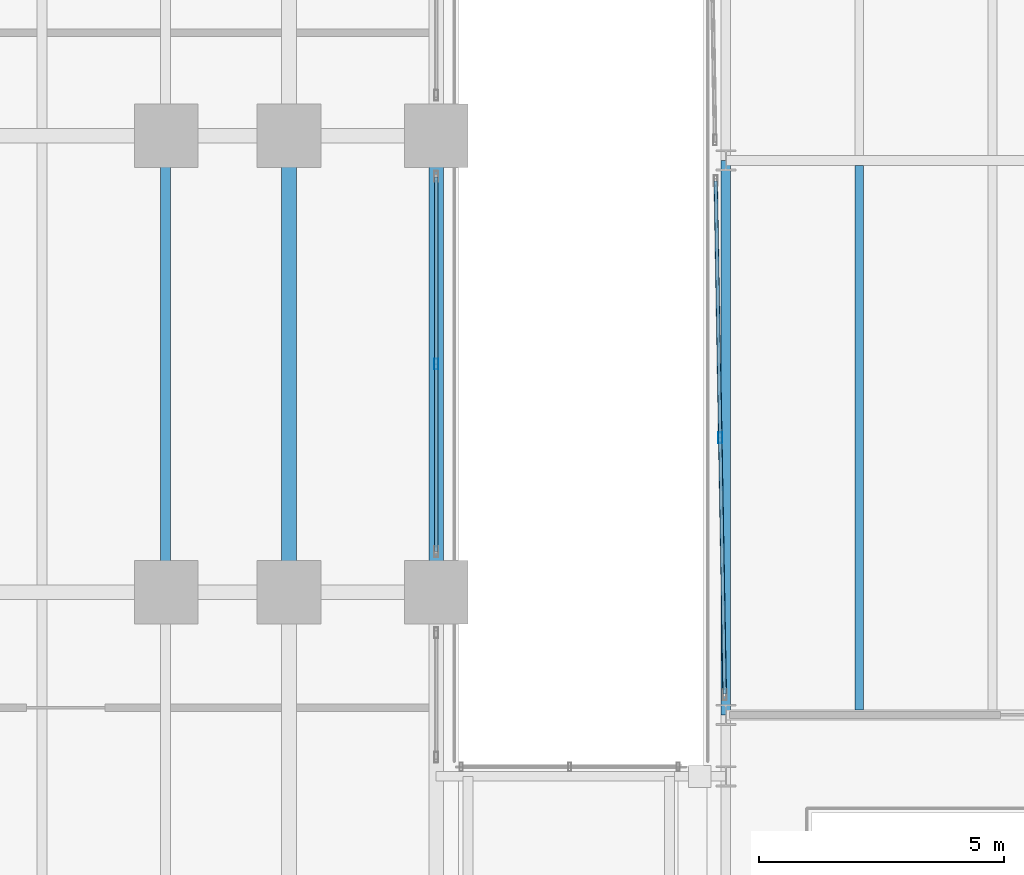
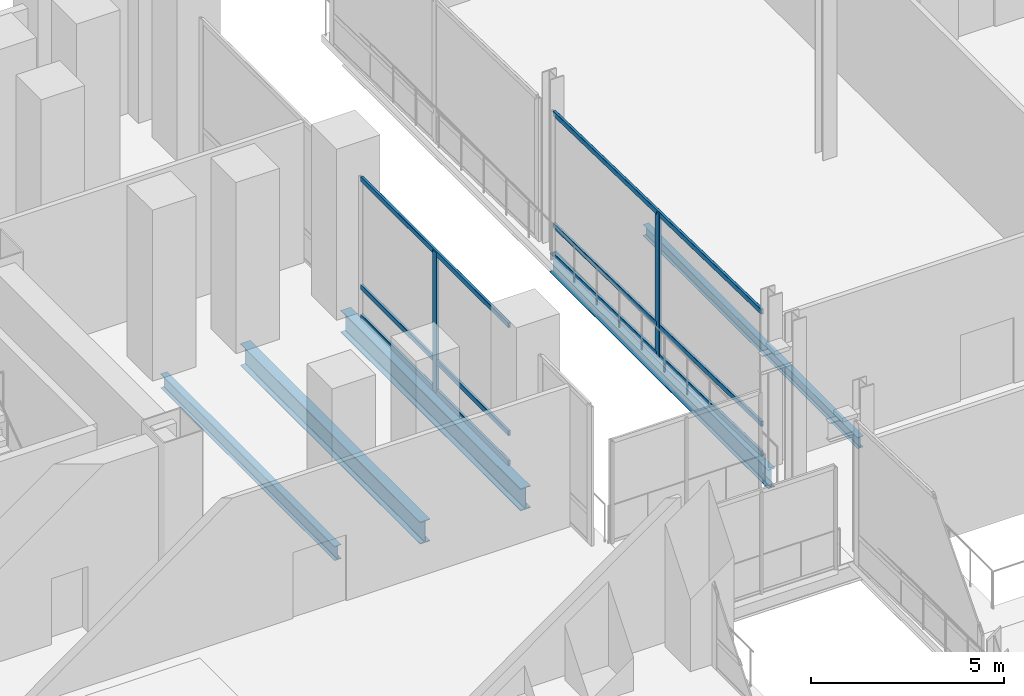
# One storey, part 16 of 31: 8 members, 5 beams, 2 elements without a shape of their own.
"""IFC4 building model written with IfcOpenShell, lengths in metres."""

import ifcopenshell
import ifcopenshell.guid

model = None  # the IFC model being written
_history = None  # IfcOwnerHistory: only IFC2X3 demands one
_inside = {}  # id of a spatial element -> (the spatial element, [elements in it])
_under = {}  # id of a project, library or spatial element -> (it, [spatial elements below it])
_declared = {}  # id of a project -> (the project, [libraries it declares])
_typed = {}  # id of a type object -> (the type object, [elements of that type])
_made_of = {}  # id of a material, layer set ... -> (it, [elements and type objects made of it])


def new_model(schema):
    """Start an empty IFC model of exactly this schema.

    Asked for "IFC4X3", IfcOpenShell would pick the latest addendum, in which some entities
    have other attributes; the version numbers below select the first issue.
    IFC2X3 requires an IfcOwnerHistory on every rooted entity: one is made here for all.
    """
    global model, _history
    if schema == "IFC4X3":
        model = ifcopenshell.file(schema_version=(4, 3, 0, 0))
    else:
        model = ifcopenshell.file(schema=schema)
    _inside.clear()
    _under.clear()
    _declared.clear()
    _typed.clear()
    _made_of.clear()
    _history = None
    if model.schema == "IFC2X3":
        org = make("IfcOrganization", Name="unknown")
        user = make(
            "IfcPersonAndOrganization",
            ThePerson=make("IfcPerson", FamilyName="unknown"),
            TheOrganization=org,
        )
        app = make(
            "IfcApplication",
            ApplicationDeveloper=org,
            Version="unknown",
            ApplicationFullName="unknown",
            ApplicationIdentifier="unknown",
        )
        _history = make(
            "IfcOwnerHistory",
            OwningUser=user,
            OwningApplication=app,
            ChangeAction="ADDED",
            CreationDate=0,
        )
    return model


def make(cls, **values):
    """One entity of the class cls with the attributes given. An attribute that is None is left unset."""
    return model.create_entity(
        cls, **{name: value for name, value in values.items() if value is not None}
    )


def rooted(cls, **values):
    """An entity with a GlobalId (a new one), such as an element, a storey or a relation."""
    return make(cls, GlobalId=ifcopenshell.guid.new(), OwnerHistory=_history, **values)


def si_unit(unit_type, name, prefix=None):
    """IfcSIUnit, for example si_unit("LENGTHUNIT", "METRE", prefix="MILLI")."""
    return make("IfcSIUnit", UnitType=unit_type, Prefix=prefix, Name=name)


def assignment(units):
    """IfcUnitAssignment: the units of a project."""
    return None if units is None else make("IfcUnitAssignment", Units=units)


def point(xyz):
    """IfcCartesianPoint."""
    return None if xyz is None else make("IfcCartesianPoint", Coordinates=xyz)


def direction(xyz):
    """IfcDirection."""
    return None if xyz is None else make("IfcDirection", DirectionRatios=xyz)


def frame(location, z_axis=None, x_axis=None):
    """IfcAxis2Placement3D, a coordinate frame: its origin and axes. An axis left out is left unset."""
    return make(
        "IfcAxis2Placement3D",
        Location=point(location),
        Axis=direction(z_axis),
        RefDirection=direction(x_axis),
    )


def frame_2d(location, x_axis=None):
    """IfcAxis2Placement2D, a coordinate frame in the plane: its origin and x axis."""
    return make(
        "IfcAxis2Placement2D", Location=point(location), RefDirection=direction(x_axis)
    )


def origin():
    """The frame at (0, 0, 0) with its axes left unset."""
    return frame((0.0, 0.0, 0.0))


def origin_2d():
    """The frame at (0, 0) in the plane with its x axis left unset."""
    return frame_2d((0.0, 0.0))


def place(relative_to, where):
    """IfcLocalPlacement: puts the frame where relative to a parent placement (None: the world)."""
    return make(
        "IfcLocalPlacement", PlacementRelTo=relative_to, RelativePlacement=where
    )


def context(
    kind, dimensions, precision=None, world=None, true_north=None, identifier=None
):
    """IfcGeometricRepresentationContext, for example the 3D "Model" context."""
    return make(
        "IfcGeometricRepresentationContext",
        ContextIdentifier=identifier,
        ContextType=kind,
        CoordinateSpaceDimension=dimensions,
        Precision=precision,
        WorldCoordinateSystem=world,
        TrueNorth=true_north,
    )


def subcontext(parent, identifier, kind, view, scale=None):
    """IfcGeometricRepresentationSubContext, for example "Body" below "Model"."""
    return make(
        "IfcGeometricRepresentationSubContext",
        ContextIdentifier=identifier,
        ContextType=kind,
        ParentContext=parent,
        TargetScale=scale,
        TargetView=view,
    )


def project(units=None, contexts=None):
    """IfcProject with its units and contexts."""
    return rooted(
        "IfcProject",
        Name="project",
        RepresentationContexts=contexts,
        UnitsInContext=assignment(units),
    )


def spatial(cls, under=None, at=None, **own):
    """A site, building, storey or space (cls), placed at a placement, below another one or the project."""
    s = rooted(cls, ObjectPlacement=at, **own)
    if under is not None:
        _under.setdefault(under.id(), (under, []))[1].append(s)
    return s


def profile(cls, at=None, kind="AREA", **sizes):
    """A parametric profile (cls). Its sizes go by their IFC names, for example OverallWidth=200.0."""
    return make(cls, ProfileType=kind, Position=at, **sizes)


def hollow_rectangle(**sizes):
    """IfcRectangleHollowProfileDef."""
    return profile("IfcRectangleHollowProfileDef", **sizes)


def i_section(**sizes):
    """IfcIShapeProfileDef."""
    return profile("IfcIShapeProfileDef", **sizes)


def extrude(swept, where, along, depth):
    """IfcExtrudedAreaSolid: the profile swept, set in the frame where, extruded along a direction by depth."""
    return make(
        "IfcExtrudedAreaSolid",
        SweptArea=swept,
        Position=where,
        ExtrudedDirection=direction(along),
        Depth=depth,
    )


def shape(context_of_items, identifier, shape_type, items):
    """IfcShapeRepresentation: the items that make up one representation, for example the "Body"."""
    return make(
        "IfcShapeRepresentation",
        ContextOfItems=context_of_items,
        RepresentationIdentifier=identifier,
        RepresentationType=shape_type,
        Items=items,
    )


def material(Name=None, Category=None):
    """IfcMaterial."""
    return make("IfcMaterial", Name=Name, Category=Category)


def material_profile(
    of_material, cross_section, Name=None, Category=None, Priority=None
):
    """IfcMaterialProfile: a cross section and its material."""
    return make(
        "IfcMaterialProfile",
        Name=Name,
        Material=of_material,
        Profile=cross_section,
        Priority=Priority,
        Category=Category,
    )


def profile_set(profiles, Name=None, composite=None):
    """IfcMaterialProfileSet."""
    return make(
        "IfcMaterialProfileSet",
        Name=Name,
        MaterialProfiles=profiles,
        CompositeProfile=composite,
    )


def made_of(thing, what):
    """Note that an element or type object is made of a material, layer set ...; save() writes the relation."""
    if what is not None:
        _made_of.setdefault(what.id(), (what, []))[1].append(thing)
    return thing


def type_object(cls, material=None, **own):
    """A type object (cls), such as IfcWallType, which elements share."""
    return made_of(rooted(cls, **own), material)


def element(
    cls,
    number,
    at=None,
    inside=None,
    cuts=None,
    type_object=None,
    material=None,
    context=None,
    identifier="Body",
    shape_type=None,
    held_by="IfcProductDefinitionShape",
    body=None,
    shapes=None,
    **own,
):
    """One element of the class cls, such as IfcWall. Its Tag is "e" and its number.

    at: its placement. inside: the storey or other place that contains it. cuts: it is an
    opening in that element (IfcRelVoidsElement). A single representation is given by context,
    identifier, shape_type and body (its items); several are given by shapes. held_by: the class
    of the entity that holds the representations. save() writes the other relations.
    """
    e = rooted(cls, Tag="e%d" % number, ObjectPlacement=at, **own)
    if body is not None:
        shapes = [shape(context, identifier, shape_type, body)]
    if shapes is not None:
        e.Representation = make(held_by, Representations=shapes)
    if inside is not None:
        _inside.setdefault(inside.id(), (inside, []))[1].append(e)
    if cuts is not None:
        rooted(
            "IfcRelVoidsElement", RelatingBuildingElement=cuts, RelatedOpeningElement=e
        )
    if type_object is not None:
        _typed.setdefault(type_object.id(), (type_object, []))[1].append(e)
    return made_of(e, material)


def aggregate(whole, parts):
    """IfcRelAggregates: a whole, such as a stair, and the parts it consists of."""
    return rooted("IfcRelAggregates", RelatingObject=whole, RelatedObjects=parts)


def save(model, path):
    """Write the relations noted so far, then the file.

    IfcRelAggregates (storeys below a building ...), IfcRelContainedInSpatialStructure (elements
    in a storey), IfcRelDefinesByType, IfcRelAssociatesMaterial and IfcRelDeclares: one each for
    every whole, place, type object, material and project.
    """
    for whole, parts in _under.values():
        aggregate(whole, parts)
    for where, things in _inside.values():
        rooted(
            "IfcRelContainedInSpatialStructure",
            RelatedElements=things,
            RelatingStructure=where,
        )
    for kind, things in _typed.values():
        rooted("IfcRelDefinesByType", RelatedObjects=things, RelatingType=kind)
    for what, things in _made_of.values():
        rooted("IfcRelAssociatesMaterial", RelatedObjects=things, RelatingMaterial=what)
    for by, libraries in _declared.values():
        rooted("IfcRelDeclares", RelatingContext=by, RelatedDefinitions=libraries)
    model.write(path)


model = new_model("IFC4")

# Units and contexts
model_context = context("Model", 3, precision=1e-05, world=origin(), true_north=direction((0.0, 1.0)))
body_context = subcontext(model_context, "Body", "Model", "MODEL_VIEW")
ifc_project = project(units=[si_unit("LENGTHUNIT", "METRE"), si_unit("AREAUNIT", "SQUARE_METRE"), si_unit("VOLUMEUNIT", "CUBIC_METRE"), si_unit("PLANEANGLEUNIT", "RADIAN"), si_unit("MASSUNIT", "GRAM", prefix="KILO")], contexts=[model_context])

# Site, building, storey
site_placement = place(None, origin())
site = spatial("IfcSite", under=ifc_project, at=site_placement, CompositionType="ELEMENT")
building_placement = place(site_placement, origin())
building = spatial("IfcBuilding", under=site, at=building_placement, Name="Noeulbin Bourse Tower", CompositionType="ELEMENT")
storey_placement = place(building_placement, frame((0.0, 0.0, 11.199951171875)))
storey = spatial("IfcBuildingStorey", under=building, at=storey_placement, Name="L03", CompositionType="ELEMENT", Elevation=11.199951171875)

# Beams
ifc_material_1 = material(Name="Steel S355", Category="steel")
ifc_material_profile_1 = material_profile(ifc_material_1, i_section(OverallWidth=0.199951171875, OverallDepth=0.60009765625, WebThickness=0.010986328125, FlangeThickness=0.01708984375, FilletRadius=0.02197265625, at=origin_2d()), Name="H-600x200x11x17", Category="LoadBearing")
ifc_profile_set_1 = profile_set([ifc_material_profile_1], Name="Steel S355")
beam_type_1 = type_object("IfcBeamType", Name="BM-GRD-600", PredefinedType="USERDEFINED", material=ifc_profile_set_1)
beam_1_placement = place(storey_placement, frame((60.449951171875, 26.5, -0.52001953125), z_axis=(0.0, 1.0, 0.0), x_axis=(-1.0, 0.0, 0.0)))
element("IfcBeam", 1, at=beam_1_placement, inside=storey, type_object=beam_type_1, Name="Market Hall Girder NS L03-13", ObjectType="GIRDER", PredefinedType="USERDEFINED", context=body_context, shape_type="SweptSolid", body=[
    extrude(i_section(OverallWidth=0.199951171875, OverallDepth=0.60009765625, WebThickness=0.010986328125, FlangeThickness=0.01708984375, FilletRadius=0.02197265625, at=origin_2d()), origin(), (0.0, 0.0, 1.0), 11.300048828125),
])
ifc_material_profile_2 = material_profile(ifc_material_1, i_section(OverallWidth=0.300048828125, OverallDepth=0.699951171875, WebThickness=0.012939453125, FlangeThickness=0.02392578125, FilletRadius=0.02392578125, at=origin_2d()), Name="H-700x300x13x24", Category="LoadBearing")
ifc_profile_set_2 = profile_set([ifc_material_profile_2], Name="Steel S355")
beam_type_2 = type_object("IfcBeamType", Name="BM-GRD-700", PredefinedType="USERDEFINED", material=ifc_profile_set_2)
for number, where, z_axis, x_axis, name in (
    (2, (51.550048828125, 29.0, -0.599853515625), (0.0, 1.0, 0.0), (-1.0, 0.0, 0.0), "Podium Primary Girder NS L03-099"),
    (3, (54.550048828125, 29.0, -0.599853515625), (0.0, 1.0, 0.0), (-1.0, 0.0, 0.0), "Podium Primary Girder NS L03-105"),
):
    element("IfcBeam", number, at=place(storey_placement, frame(where, z_axis=z_axis, x_axis=x_axis)), inside=storey, type_object=beam_type_2, Name=name, ObjectType="GIRDER", PredefinedType="USERDEFINED", context=body_context, shape_type="SweptSolid", body=[
        extrude(i_section(OverallWidth=0.300048828125, OverallDepth=0.699951171875, WebThickness=0.012939453125, FlangeThickness=0.02392578125, FilletRadius=0.02392578125, at=origin_2d()), origin(), (0.0, 0.0, 1.0), 9.300048828125),
    ])
ifc_material_profile_3 = material_profile(ifc_material_1, i_section(OverallWidth=0.175048828125, OverallDepth=0.35009765625, WebThickness=0.007080078125, FlangeThickness=0.010986328125, FilletRadius=0.013916015625, at=origin_2d()), Name="H-350x175x7x11", Category="LoadBearing")
ifc_profile_set_3 = profile_set([ifc_material_profile_3], Name="Steel S355")
beam_type_3 = type_object("IfcBeamType", Name="BM-JST-350", PredefinedType="JOIST", material=ifc_profile_set_3)
beam_2_placement = place(storey_placement, frame((63.166748046875, 26.60009765625, -0.39501953125), z_axis=(0.0, 1.0, 0.0), x_axis=(-1.0, 0.0, 0.0)))
element("IfcBeam", 4, at=beam_2_placement, inside=storey, type_object=beam_type_3, Name="Market Hall Secondary Joist L03-02", PredefinedType="JOIST", context=body_context, shape_type="SweptSolid", body=[
    extrude(i_section(OverallWidth=0.175048828125, OverallDepth=0.35009765625, WebThickness=0.007080078125, FlangeThickness=0.010986328125, FilletRadius=0.013916015625, at=origin_2d()), origin(), (0.0, 0.0, 1.0), 11.099853515625),
])
ifc_material_profile_4 = material_profile(ifc_material_1, i_section(OverallWidth=0.199951171875, OverallDepth=0.449951171875, WebThickness=0.009033203125, FlangeThickness=0.013916015625, FilletRadius=0.01806640625, at=origin_2d()), Name="H-450x200x9x14", Category="LoadBearing")
ifc_profile_set_4 = profile_set([ifc_material_profile_4], Name="Steel S355")
beam_type_4 = type_object("IfcBeamType", Name="BM-SEC-450", PredefinedType="BEAM", material=ifc_profile_set_4)
beam_3_placement = place(storey_placement, frame((49.033203125, 29.14990234375, -0.474853515625), z_axis=(0.0, 1.0, 0.0), x_axis=(-1.0, 0.0, 0.0)))
element("IfcBeam", 5, at=beam_3_placement, inside=storey, type_object=beam_type_4, Name="Podium Secondary Beam L03-082", PredefinedType="BEAM", context=body_context, shape_type="SweptSolid", body=[
    extrude(i_section(OverallWidth=0.199951171875, OverallDepth=0.449951171875, WebThickness=0.009033203125, FlangeThickness=0.013916015625, FilletRadius=0.01806640625, at=origin_2d()), origin(), (0.0, 0.0, 1.0), 9.0),
])

# Curtain wall, member
ifc_material_2 = material(Name="Laminated Clear Low-E Glass", Category="glass")
curtain_wall_type = type_object("IfcCurtainWallType", Name="CW-SYS-1", PredefinedType="NOTDEFINED", material=ifc_material_2)
curtain_wall_1_placement = place(storey_placement, origin())
curtain_wall_1 = element("IfcCurtainWall", 6, at=curtain_wall_1_placement, inside=storey, type_object=curtain_wall_type, Name="Unitised Curtain Wall CW-L03-POD-E2-S2", PredefinedType="NOTDEFINED")
ifc_material_3 = material(Name="Anodised Aluminium 6063-T6", Category="aluminium")
ifc_material_profile_5 = material_profile(ifc_material_3, hollow_rectangle(XDim=0.074951171875, YDim=0.219970703125, WallThickness=0.0048828125, InnerFilletRadius=0.00244140625, OuterFilletRadius=0.0048828125, at=origin_2d()), Name="ALU-MULL-75x220x5", Category="LoadBearing")
ifc_profile_set_5 = profile_set([ifc_material_profile_5], Name="Anodised Aluminium 6063-T6")
member_type_1 = type_object("IfcMemberType", Name="CW-SYS-1-MUL", PredefinedType="MULLION", material=ifc_profile_set_5)
member_1_placement = place(storey_placement, frame((54.550048828125, 33.64990234375, -0.02001953125), z_axis=(0.0, 0.0, 1.0), x_axis=(1.0, 0.0, 0.0)))
member_1 = element("IfcMember", 7, at=member_1_placement, type_object=member_type_1, Name="Curtain Wall Mullion CW-L03-POD-E2-S2-M01", PredefinedType="MULLION", context=body_context, shape_type="SweptSolid", body=[
    extrude(hollow_rectangle(XDim=0.074951171875, YDim=0.219970703125, WallThickness=0.0048828125, InnerFilletRadius=0.00244140625, OuterFilletRadius=0.0048828125, at=origin_2d()), origin(), (0.0, 0.0, 1.0), 4.41015625),
])

curtain_wall_2_placement = place(storey_placement, origin())
curtain_wall_2 = element("IfcCurtainWall", 8, at=curtain_wall_2_placement, inside=storey, type_object=curtain_wall_type, Name="Unitised Curtain Wall CW-L03-MKT-W2-S1", PredefinedType="NOTDEFINED")
member_2_placement = place(storey_placement, frame((60.335693359375, 32.14990234375, -0.02001953125), z_axis=(0.0, 0.0, 1.0), x_axis=(1.0, 0.0, 0.0)))
member_2 = element("IfcMember", 9, at=member_2_placement, type_object=member_type_1, Name="Curtain Wall Mullion CW-L03-MKT-W2-S1-M01", PredefinedType="MULLION", context=body_context, shape_type="SweptSolid", body=[
    extrude(hollow_rectangle(XDim=0.074951171875, YDim=0.219970703125, WallThickness=0.0048828125, InnerFilletRadius=0.00244140625, OuterFilletRadius=0.0048828125, at=origin_2d()), origin(), (0.0, 0.0, 1.0), 4.5400390625),
])

# Member
ifc_material_profile_6 = material_profile(ifc_material_3, hollow_rectangle(XDim=0.074951171875, YDim=0.159912109375, WallThickness=0.0048828125, InnerFilletRadius=0.00244140625, OuterFilletRadius=0.0048828125, at=origin_2d()), Name="ALU-TRAN-75x160x5", Category="LoadBearing")
ifc_profile_set_6 = profile_set([ifc_material_profile_6], Name="Anodised Aluminium 6063-T6")
member_type_2 = type_object("IfcMemberType", Name="CW-SYS-1-TRN", PredefinedType="USERDEFINED", material=ifc_profile_set_6)
member_3_placement = place(storey_placement, frame((54.550048828125, 29.8349609375, 0.010009765625), z_axis=(0.0, 1.0, 0.0), x_axis=(-1.0, 0.0, 0.0)))
member_3 = element("IfcMember", 10, at=member_3_placement, type_object=member_type_2, Name="Curtain Wall Transom CW-L03-POD-E2-S2-T00", ObjectType="TRANSOM", PredefinedType="USERDEFINED", context=body_context, shape_type="SweptSolid", body=[
    extrude(hollow_rectangle(XDim=0.074951171875, YDim=0.159912109375, WallThickness=0.0048828125, InnerFilletRadius=0.00244140625, OuterFilletRadius=0.0048828125, at=origin_2d()), origin(), (0.0, 0.0, 1.0), 7.630126953125),
])

member_4_placement = place(storey_placement, frame((54.550048828125, 29.8349609375, 0.949951171875), z_axis=(0.0, 1.0, 0.0), x_axis=(-1.0, 0.0, 0.0)))
member_4 = element("IfcMember", 11, at=member_4_placement, type_object=member_type_2, Name="Curtain Wall Transom CW-L03-POD-E2-S2-T01", ObjectType="TRANSOM", PredefinedType="USERDEFINED", context=body_context, shape_type="SweptSolid", body=[
    extrude(hollow_rectangle(XDim=0.074951171875, YDim=0.159912109375, WallThickness=0.0048828125, InnerFilletRadius=0.00244140625, OuterFilletRadius=0.0048828125, at=origin_2d()), origin(), (0.0, 0.0, 1.0), 7.630126953125),
])

member_5_placement = place(storey_placement, frame((54.550048828125, 29.8349609375, 4.360107421875), z_axis=(0.0, 1.0, 0.0), x_axis=(-1.0, 0.0, 0.0)))
member_5 = element("IfcMember", 12, at=member_5_placement, type_object=member_type_2, Name="Curtain Wall Transom CW-L03-POD-E2-S2-T02", ObjectType="TRANSOM", PredefinedType="USERDEFINED", context=body_context, shape_type="SweptSolid", body=[
    extrude(hollow_rectangle(XDim=0.074951171875, YDim=0.159912109375, WallThickness=0.0048828125, InnerFilletRadius=0.00244140625, OuterFilletRadius=0.0048828125, at=origin_2d()), origin(), (0.0, 0.0, 1.0), 7.630126953125),
])

aggregate(curtain_wall_1, [member_1, member_3, member_4, member_5])

member_6_placement = place(storey_placement, frame((60.427001953125, 26.924072265625, 0.010009765625), z_axis=(-0.01742278307, 0.999848211795, 0.0), x_axis=(-0.999848211795, -0.01742278307, 0.0)))
member_6 = element("IfcMember", 13, at=member_6_placement, type_object=member_type_2, Name="Curtain Wall Transom CW-L03-MKT-W2-S1-T00", ObjectType="TRANSOM", PredefinedType="USERDEFINED", context=body_context, shape_type="SweptSolid", body=[
    extrude(hollow_rectangle(XDim=0.074951171875, YDim=0.159912109375, WallThickness=0.0048828125, InnerFilletRadius=0.00244140625, OuterFilletRadius=0.0048828125, at=origin_2d()), origin(), (0.0, 0.0, 1.0), 10.453369140625),
])

member_7_placement = place(storey_placement, frame((60.427001953125, 26.924072265625, 0.949951171875), z_axis=(-0.01742278307, 0.999848211795, 0.0), x_axis=(-0.999848211795, -0.01742278307, 0.0)))
member_7 = element("IfcMember", 14, at=member_7_placement, type_object=member_type_2, Name="Curtain Wall Transom CW-L03-MKT-W2-S1-T01", ObjectType="TRANSOM", PredefinedType="USERDEFINED", context=body_context, shape_type="SweptSolid", body=[
    extrude(hollow_rectangle(XDim=0.074951171875, YDim=0.159912109375, WallThickness=0.0048828125, InnerFilletRadius=0.00244140625, OuterFilletRadius=0.0048828125, at=origin_2d()), origin(), (0.0, 0.0, 1.0), 10.453369140625),
])

member_8_placement = place(storey_placement, frame((60.427001953125, 26.924072265625, 4.489990234375), z_axis=(-0.01742278307, 0.999848211795, 0.0), x_axis=(-0.999848211795, -0.01742278307, 0.0)))
member_8 = element("IfcMember", 15, at=member_8_placement, type_object=member_type_2, Name="Curtain Wall Transom CW-L03-MKT-W2-S1-T02", ObjectType="TRANSOM", PredefinedType="USERDEFINED", context=body_context, shape_type="SweptSolid", body=[
    extrude(hollow_rectangle(XDim=0.074951171875, YDim=0.159912109375, WallThickness=0.0048828125, InnerFilletRadius=0.00244140625, OuterFilletRadius=0.0048828125, at=origin_2d()), origin(), (0.0, 0.0, 1.0), 10.453369140625),
])

aggregate(curtain_wall_2, [member_2, member_6, member_7, member_8])

save(model, "model.ifc")
